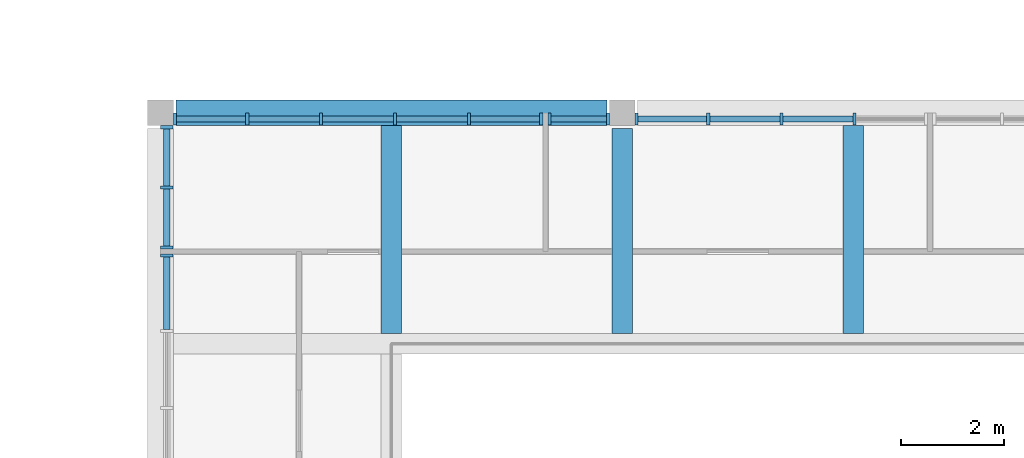
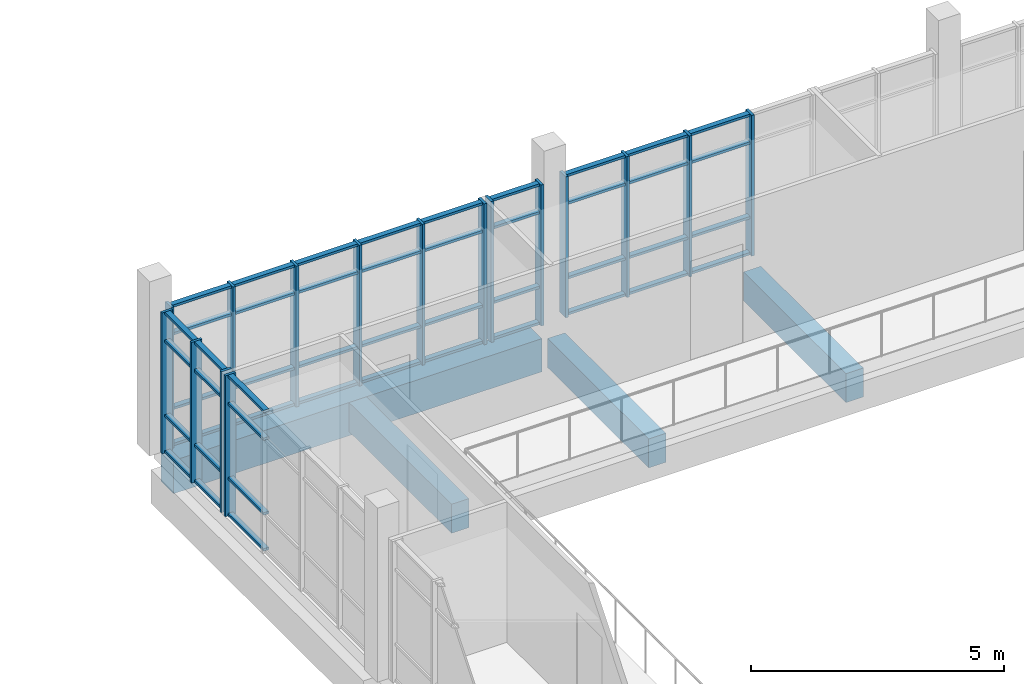
# One storey, part 9 of 74: 64 members, 4 beams, 5 elements without a shape of their own.
"""IFC4 building model written with IfcOpenShell, lengths in metres."""

from ifc_helpers import new_model, si_unit, direction, frame, origin, origin_2d, place, context, subcontext, project, spatial, rectangle, extrude, material, material_profile, profile_set, type_object, element, aggregate, save


model = new_model("IFC4")

# Units and contexts
model_context = context("Model", 3, precision=1e-05, world=origin(), true_north=direction((0.0, 1.0)))
body_context = subcontext(model_context, "Body", "Model", "MODEL_VIEW")
ifc_project = project(units=[si_unit("LENGTHUNIT", "METRE"), si_unit("AREAUNIT", "SQUARE_METRE"), si_unit("VOLUMEUNIT", "CUBIC_METRE"), si_unit("PLANEANGLEUNIT", "RADIAN"), si_unit("MASSUNIT", "GRAM", prefix="KILO")], contexts=[model_context])

# Site, building, storey
site_placement = place(None, origin())
site = spatial("IfcSite", under=ifc_project, at=site_placement, CompositionType="ELEMENT")
building_placement = place(site_placement, origin())
building = spatial("IfcBuilding", under=site, at=building_placement, Name="Merrow Basin Faculty of Sciences", CompositionType="ELEMENT")
storey_placement = place(building_placement, frame((0.0, 0.0, 13.5)))
storey = spatial("IfcBuildingStorey", under=building, at=storey_placement, Name="L03", CompositionType="ELEMENT", Elevation=13.5)

# Curtain wall, member
ifc_material_1 = material(Name="Aluminium alloy 6063", Category="aluminium")
curtain_wall_type = type_object("IfcCurtainWallType", Name="Atrium unitised curtain wall 240", PredefinedType="NOTDEFINED", material=ifc_material_1)
curtain_wall_1_placement = place(storey_placement, origin())
curtain_wall_1 = element("IfcCurtainWall", 1, at=curtain_wall_1_placement, inside=storey, type_object=curtain_wall_type, Name="W curtain wall L03 4", PredefinedType="NOTDEFINED")
ifc_material_2 = material(Name="Aluminium alloy 6063", Category="aluminium")
ifc_material_profile_1 = material_profile(ifc_material_2, rectangle(XDim=0.239990234375, YDim=0.06005859375, at=origin_2d()))
ifc_profile_set_1 = profile_set([ifc_material_profile_1], Name="Aluminium alloy 6063")
member_type_1 = type_object("IfcMemberType", Name="Aluminium mullion 60x240", PredefinedType="MULLION", material=ifc_profile_set_1)
member_1_placement = place(storey_placement, frame((45.1201171875, 33.219970703125, 0.0), z_axis=(0.0, 0.0, 1.0), x_axis=(-1.0, 0.0, 0.0)))
member_1 = element("IfcMember", 2, at=member_1_placement, type_object=member_type_1, Name="CW5 mullion 5", PredefinedType="MULLION", context=body_context, shape_type="SweptSolid", body=[
    extrude(rectangle(XDim=0.239990234375, YDim=0.06005859375, at=origin_2d()), origin(), (0.0, 0.0, 1.0), 3.39990234375),
])

# Curtain wall, members
curtain_wall_2_placement = place(storey_placement, origin())
curtain_wall_2 = element("IfcCurtainWall", 3, at=curtain_wall_2_placement, inside=storey, type_object=curtain_wall_type, Name="W curtain wall L03 5", PredefinedType="NOTDEFINED")
member_2_placement = place(storey_placement, frame((45.1201171875, 33.3798828125, 0.0), z_axis=(0.0, 0.0, 1.0), x_axis=(-1.0, 0.0, 0.0)))
member_2 = element("IfcMember", 4, at=member_2_placement, type_object=member_type_1, Name="CW5 mullion 1", PredefinedType="MULLION", context=body_context, shape_type="SweptSolid", body=[
    extrude(rectangle(XDim=0.239990234375, YDim=0.06005859375, at=origin_2d()), origin(), (0.0, 0.0, 1.0), 3.39990234375),
])
member_3_placement = place(storey_placement, frame((45.1201171875, 34.550048828125, 0.0), z_axis=(0.0, 0.0, 1.0), x_axis=(-1.0, 0.0, 0.0)))
member_3 = element("IfcMember", 5, at=member_3_placement, type_object=member_type_1, Name="CW5 mullion 2", PredefinedType="MULLION", context=body_context, shape_type="SweptSolid", body=[
    extrude(rectangle(XDim=0.239990234375, YDim=0.06005859375, at=origin_2d()), origin(), (0.0, 0.0, 1.0), 3.39990234375),
])
member_4_placement = place(storey_placement, frame((45.1201171875, 35.719970703125, 0.0), z_axis=(0.0, 0.0, 1.0), x_axis=(-1.0, 0.0, 0.0)))
member_4 = element("IfcMember", 6, at=member_4_placement, type_object=member_type_1, Name="CW5 mullion 3", PredefinedType="MULLION", context=body_context, shape_type="SweptSolid", body=[
    extrude(rectangle(XDim=0.239990234375, YDim=0.06005859375, at=origin_2d()), origin(), (0.0, 0.0, 1.0), 3.39990234375),
])

curtain_wall_3_placement = place(storey_placement, origin())
curtain_wall_3 = element("IfcCurtainWall", 7, at=curtain_wall_3_placement, inside=storey, type_object=curtain_wall_type, Name="N curtain wall L03 1", PredefinedType="NOTDEFINED")
member_5_placement = place(storey_placement, frame((45.280029296875, 35.8798828125, 0.0), z_axis=(0.0, 0.0, 1.0), x_axis=(0.0, 1.0, 0.0)))
member_5 = element("IfcMember", 8, at=member_5_placement, type_object=member_type_1, Name="CW5 mullion 1", PredefinedType="MULLION", context=body_context, shape_type="SweptSolid", body=[
    extrude(rectangle(XDim=0.239990234375, YDim=0.06005859375, at=origin_2d()), origin(), (0.0, 0.0, 1.0), 3.39990234375),
])
member_6_placement = place(storey_placement, frame((46.68994140625, 35.8798828125, 0.0), z_axis=(0.0, 0.0, 1.0), x_axis=(0.0, 1.0, 0.0)))
member_6 = element("IfcMember", 9, at=member_6_placement, type_object=member_type_1, Name="CW5 mullion 2", PredefinedType="MULLION", context=body_context, shape_type="SweptSolid", body=[
    extrude(rectangle(XDim=0.239990234375, YDim=0.06005859375, at=origin_2d()), origin(), (0.0, 0.0, 1.0), 3.39990234375),
])
member_7_placement = place(storey_placement, frame((48.1298828125, 35.8798828125, 0.0), z_axis=(0.0, 0.0, 1.0), x_axis=(0.0, 1.0, 0.0)))
member_7 = element("IfcMember", 10, at=member_7_placement, type_object=member_type_1, Name="CW5 mullion 3", PredefinedType="MULLION", context=body_context, shape_type="SweptSolid", body=[
    extrude(rectangle(XDim=0.239990234375, YDim=0.06005859375, at=origin_2d()), origin(), (0.0, 0.0, 1.0), 3.39990234375),
])
member_8_placement = place(storey_placement, frame((49.570068359375, 35.8798828125, 0.0), z_axis=(0.0, 0.0, 1.0), x_axis=(0.0, 1.0, 0.0)))
member_8 = element("IfcMember", 11, at=member_8_placement, type_object=member_type_1, Name="CW5 mullion 4", PredefinedType="MULLION", context=body_context, shape_type="SweptSolid", body=[
    extrude(rectangle(XDim=0.239990234375, YDim=0.06005859375, at=origin_2d()), origin(), (0.0, 0.0, 1.0), 3.39990234375),
])
member_9_placement = place(storey_placement, frame((51.010009765625, 35.8798828125, 0.0), z_axis=(0.0, 0.0, 1.0), x_axis=(0.0, 1.0, 0.0)))
member_9 = element("IfcMember", 12, at=member_9_placement, type_object=member_type_1, Name="CW5 mullion 5", PredefinedType="MULLION", context=body_context, shape_type="SweptSolid", body=[
    extrude(rectangle(XDim=0.239990234375, YDim=0.06005859375, at=origin_2d()), origin(), (0.0, 0.0, 1.0), 3.39990234375),
])
member_10_placement = place(storey_placement, frame((52.419921875, 35.8798828125, 0.0), z_axis=(0.0, 0.0, 1.0), x_axis=(0.0, 1.0, 0.0)))
member_10 = element("IfcMember", 13, at=member_10_placement, type_object=member_type_1, Name="CW5 mullion 6", PredefinedType="MULLION", context=body_context, shape_type="SweptSolid", body=[
    extrude(rectangle(XDim=0.239990234375, YDim=0.06005859375, at=origin_2d()), origin(), (0.0, 0.0, 1.0), 3.39990234375),
])

curtain_wall_4_placement = place(storey_placement, origin())
curtain_wall_4 = element("IfcCurtainWall", 14, at=curtain_wall_4_placement, inside=storey, type_object=curtain_wall_type, Name="N curtain wall L03 2", PredefinedType="NOTDEFINED")
member_11_placement = place(storey_placement, frame((52.580078125, 35.8798828125, 0.0), z_axis=(0.0, 0.0, 1.0), x_axis=(0.0, 1.0, 0.0)))
member_11 = element("IfcMember", 15, at=member_11_placement, type_object=member_type_1, Name="CW5 mullion 1", PredefinedType="MULLION", context=body_context, shape_type="SweptSolid", body=[
    extrude(rectangle(XDim=0.239990234375, YDim=0.06005859375, at=origin_2d()), origin(), (0.0, 0.0, 1.0), 3.39990234375),
])
member_12_placement = place(storey_placement, frame((53.719970703125, 35.8798828125, 0.0), z_axis=(0.0, 0.0, 1.0), x_axis=(0.0, 1.0, 0.0)))
member_12 = element("IfcMember", 16, at=member_12_placement, type_object=member_type_1, Name="CW5 mullion 2", PredefinedType="MULLION", context=body_context, shape_type="SweptSolid", body=[
    extrude(rectangle(XDim=0.239990234375, YDim=0.06005859375, at=origin_2d()), origin(), (0.0, 0.0, 1.0), 3.39990234375),
])

curtain_wall_5_placement = place(storey_placement, origin())
curtain_wall_5 = element("IfcCurtainWall", 17, at=curtain_wall_5_placement, inside=storey, type_object=curtain_wall_type, Name="N curtain wall L03 3", PredefinedType="NOTDEFINED")
member_13_placement = place(storey_placement, frame((54.280029296875, 35.8798828125, 0.0), z_axis=(0.0, 0.0, 1.0), x_axis=(0.0, 1.0, 0.0)))
member_13 = element("IfcMember", 18, at=member_13_placement, type_object=member_type_1, Name="CW5 mullion 1", PredefinedType="MULLION", context=body_context, shape_type="SweptSolid", body=[
    extrude(rectangle(XDim=0.239990234375, YDim=0.06005859375, at=origin_2d()), origin(), (0.0, 0.0, 1.0), 3.39990234375),
])
member_14_placement = place(storey_placement, frame((55.675048828125, 35.8798828125, 0.0), z_axis=(0.0, 0.0, 1.0), x_axis=(0.0, 1.0, 0.0)))
member_14 = element("IfcMember", 19, at=member_14_placement, type_object=member_type_1, Name="CW5 mullion 2", PredefinedType="MULLION", context=body_context, shape_type="SweptSolid", body=[
    extrude(rectangle(XDim=0.239990234375, YDim=0.06005859375, at=origin_2d()), origin(), (0.0, 0.0, 1.0), 3.39990234375),
])
member_15_placement = place(storey_placement, frame((57.10009765625, 35.8798828125, 0.0), z_axis=(0.0, 0.0, 1.0), x_axis=(0.0, 1.0, 0.0)))
member_15 = element("IfcMember", 20, at=member_15_placement, type_object=member_type_1, Name="CW5 mullion 3", PredefinedType="MULLION", context=body_context, shape_type="SweptSolid", body=[
    extrude(rectangle(XDim=0.239990234375, YDim=0.06005859375, at=origin_2d()), origin(), (0.0, 0.0, 1.0), 3.39990234375),
])
member_16_placement = place(storey_placement, frame((58.52490234375, 35.8798828125, 0.0), z_axis=(0.0, 0.0, 1.0), x_axis=(0.0, 1.0, 0.0)))
member_16 = element("IfcMember", 21, at=member_16_placement, type_object=member_type_1, Name="CW5 mullion 4", PredefinedType="MULLION", context=body_context, shape_type="SweptSolid", body=[
    extrude(rectangle(XDim=0.239990234375, YDim=0.06005859375, at=origin_2d()), origin(), (0.0, 0.0, 1.0), 3.39990234375),
])

# Member
ifc_material_3 = material(Name="Aluminium alloy 6063", Category="aluminium")
ifc_material_profile_2 = material_profile(ifc_material_3, rectangle(XDim=0.1201171875, YDim=0.06005859375, at=origin_2d()))
ifc_profile_set_2 = profile_set([ifc_material_profile_2], Name="Aluminium alloy 6063")
member_type_2 = type_object("IfcMemberType", Name="Aluminium transom 60x120", PredefinedType="USERDEFINED", material=ifc_profile_set_2)
member_17_placement = place(storey_placement, frame((45.1201171875, 31.780029296875, 0.030029296875), z_axis=(0.0, 1.0, 0.0), x_axis=(-1.0, 0.0, 0.0)))
member_17 = element("IfcMember", 22, at=member_17_placement, type_object=member_type_2, Name="CW5 transom 4.1", ObjectType="TRANSOM", PredefinedType="USERDEFINED", context=body_context, shape_type="SweptSolid", body=[
    extrude(rectangle(XDim=0.1201171875, YDim=0.06005859375, at=origin_2d()), origin(), (0.0, 0.0, 1.0), 1.409912109375),
])

member_18_placement = place(storey_placement, frame((45.1201171875, 31.780029296875, 0.89990234375), z_axis=(0.0, 1.0, 0.0), x_axis=(-1.0, 0.0, 0.0)))
member_18 = element("IfcMember", 23, at=member_18_placement, type_object=member_type_2, Name="CW5 transom 4.2", ObjectType="TRANSOM", PredefinedType="USERDEFINED", context=body_context, shape_type="SweptSolid", body=[
    extrude(rectangle(XDim=0.1201171875, YDim=0.06005859375, at=origin_2d()), origin(), (0.0, 0.0, 1.0), 1.409912109375),
])

member_19_placement = place(storey_placement, frame((45.1201171875, 31.780029296875, 2.699951171875), z_axis=(0.0, 1.0, 0.0), x_axis=(-1.0, 0.0, 0.0)))
member_19 = element("IfcMember", 24, at=member_19_placement, type_object=member_type_2, Name="CW5 transom 4.3", ObjectType="TRANSOM", PredefinedType="USERDEFINED", context=body_context, shape_type="SweptSolid", body=[
    extrude(rectangle(XDim=0.1201171875, YDim=0.06005859375, at=origin_2d()), origin(), (0.0, 0.0, 1.0), 1.409912109375),
])

member_20_placement = place(storey_placement, frame((45.1201171875, 31.780029296875, 3.3701171875), z_axis=(0.0, 1.0, 0.0), x_axis=(-1.0, 0.0, 0.0)))
member_20 = element("IfcMember", 25, at=member_20_placement, type_object=member_type_2, Name="CW5 transom 4.4", ObjectType="TRANSOM", PredefinedType="USERDEFINED", context=body_context, shape_type="SweptSolid", body=[
    extrude(rectangle(XDim=0.1201171875, YDim=0.06005859375, at=origin_2d()), origin(), (0.0, 0.0, 1.0), 1.409912109375),
])

aggregate(curtain_wall_1, [member_1, member_17, member_18, member_19, member_20])

member_21_placement = place(storey_placement, frame((45.1201171875, 33.409912109375, 0.030029296875), z_axis=(0.0, 1.0, 0.0), x_axis=(-1.0, 0.0, 0.0)))
member_21 = element("IfcMember", 26, at=member_21_placement, type_object=member_type_2, Name="CW5 transom 1.1", ObjectType="TRANSOM", PredefinedType="USERDEFINED", context=body_context, shape_type="SweptSolid", body=[
    extrude(rectangle(XDim=0.1201171875, YDim=0.06005859375, at=origin_2d()), origin(), (0.0, 0.0, 1.0), 1.110107421875),
])

member_22_placement = place(storey_placement, frame((45.1201171875, 33.409912109375, 0.89990234375), z_axis=(0.0, 1.0, 0.0), x_axis=(-1.0, 0.0, 0.0)))
member_22 = element("IfcMember", 27, at=member_22_placement, type_object=member_type_2, Name="CW5 transom 1.2", ObjectType="TRANSOM", PredefinedType="USERDEFINED", context=body_context, shape_type="SweptSolid", body=[
    extrude(rectangle(XDim=0.1201171875, YDim=0.06005859375, at=origin_2d()), origin(), (0.0, 0.0, 1.0), 1.110107421875),
])

member_23_placement = place(storey_placement, frame((45.1201171875, 33.409912109375, 2.699951171875), z_axis=(0.0, 1.0, 0.0), x_axis=(-1.0, 0.0, 0.0)))
member_23 = element("IfcMember", 28, at=member_23_placement, type_object=member_type_2, Name="CW5 transom 1.3", ObjectType="TRANSOM", PredefinedType="USERDEFINED", context=body_context, shape_type="SweptSolid", body=[
    extrude(rectangle(XDim=0.1201171875, YDim=0.06005859375, at=origin_2d()), origin(), (0.0, 0.0, 1.0), 1.110107421875),
])

member_24_placement = place(storey_placement, frame((45.1201171875, 33.409912109375, 3.3701171875), z_axis=(0.0, 1.0, 0.0), x_axis=(-1.0, 0.0, 0.0)))
member_24 = element("IfcMember", 29, at=member_24_placement, type_object=member_type_2, Name="CW5 transom 1.4", ObjectType="TRANSOM", PredefinedType="USERDEFINED", context=body_context, shape_type="SweptSolid", body=[
    extrude(rectangle(XDim=0.1201171875, YDim=0.06005859375, at=origin_2d()), origin(), (0.0, 0.0, 1.0), 1.110107421875),
])

member_25_placement = place(storey_placement, frame((45.1201171875, 34.580078125, 0.030029296875), z_axis=(0.0, 1.0, 0.0), x_axis=(-1.0, 0.0, 0.0)))
member_25 = element("IfcMember", 30, at=member_25_placement, type_object=member_type_2, Name="CW5 transom 2.1", ObjectType="TRANSOM", PredefinedType="USERDEFINED", context=body_context, shape_type="SweptSolid", body=[
    extrude(rectangle(XDim=0.1201171875, YDim=0.06005859375, at=origin_2d()), origin(), (0.0, 0.0, 1.0), 1.10986328125),
])

member_26_placement = place(storey_placement, frame((45.1201171875, 34.580078125, 0.89990234375), z_axis=(0.0, 1.0, 0.0), x_axis=(-1.0, 0.0, 0.0)))
member_26 = element("IfcMember", 31, at=member_26_placement, type_object=member_type_2, Name="CW5 transom 2.2", ObjectType="TRANSOM", PredefinedType="USERDEFINED", context=body_context, shape_type="SweptSolid", body=[
    extrude(rectangle(XDim=0.1201171875, YDim=0.06005859375, at=origin_2d()), origin(), (0.0, 0.0, 1.0), 1.10986328125),
])

member_27_placement = place(storey_placement, frame((45.1201171875, 34.580078125, 2.699951171875), z_axis=(0.0, 1.0, 0.0), x_axis=(-1.0, 0.0, 0.0)))
member_27 = element("IfcMember", 32, at=member_27_placement, type_object=member_type_2, Name="CW5 transom 2.3", ObjectType="TRANSOM", PredefinedType="USERDEFINED", context=body_context, shape_type="SweptSolid", body=[
    extrude(rectangle(XDim=0.1201171875, YDim=0.06005859375, at=origin_2d()), origin(), (0.0, 0.0, 1.0), 1.10986328125),
])

member_28_placement = place(storey_placement, frame((45.1201171875, 34.580078125, 3.3701171875), z_axis=(0.0, 1.0, 0.0), x_axis=(-1.0, 0.0, 0.0)))
member_28 = element("IfcMember", 33, at=member_28_placement, type_object=member_type_2, Name="CW5 transom 2.4", ObjectType="TRANSOM", PredefinedType="USERDEFINED", context=body_context, shape_type="SweptSolid", body=[
    extrude(rectangle(XDim=0.1201171875, YDim=0.06005859375, at=origin_2d()), origin(), (0.0, 0.0, 1.0), 1.10986328125),
])

aggregate(curtain_wall_2, [member_2, member_3, member_4, member_21, member_22, member_23, member_24, member_25, member_26, member_27, member_28])

member_29_placement = place(storey_placement, frame((45.31005859375, 35.8798828125, 0.030029296875), z_axis=(1.0, 0.0, 0.0), x_axis=(0.0, 1.0, 0.0)))
member_29 = element("IfcMember", 34, at=member_29_placement, type_object=member_type_2, Name="CW5 transom 1.1", ObjectType="TRANSOM", PredefinedType="USERDEFINED", context=body_context, shape_type="SweptSolid", body=[
    extrude(rectangle(XDim=0.1201171875, YDim=0.06005859375, at=origin_2d()), origin(), (0.0, 0.0, 1.0), 1.349853515625),
])

member_30_placement = place(storey_placement, frame((45.31005859375, 35.8798828125, 0.89990234375), z_axis=(1.0, 0.0, 0.0), x_axis=(0.0, 1.0, 0.0)))
member_30 = element("IfcMember", 35, at=member_30_placement, type_object=member_type_2, Name="CW5 transom 1.2", ObjectType="TRANSOM", PredefinedType="USERDEFINED", context=body_context, shape_type="SweptSolid", body=[
    extrude(rectangle(XDim=0.1201171875, YDim=0.06005859375, at=origin_2d()), origin(), (0.0, 0.0, 1.0), 1.349853515625),
])

member_31_placement = place(storey_placement, frame((45.31005859375, 35.8798828125, 2.699951171875), z_axis=(1.0, 0.0, 0.0), x_axis=(0.0, 1.0, 0.0)))
member_31 = element("IfcMember", 36, at=member_31_placement, type_object=member_type_2, Name="CW5 transom 1.3", ObjectType="TRANSOM", PredefinedType="USERDEFINED", context=body_context, shape_type="SweptSolid", body=[
    extrude(rectangle(XDim=0.1201171875, YDim=0.06005859375, at=origin_2d()), origin(), (0.0, 0.0, 1.0), 1.349853515625),
])

member_32_placement = place(storey_placement, frame((45.31005859375, 35.8798828125, 3.3701171875), z_axis=(1.0, 0.0, 0.0), x_axis=(0.0, 1.0, 0.0)))
member_32 = element("IfcMember", 37, at=member_32_placement, type_object=member_type_2, Name="CW5 transom 1.4", ObjectType="TRANSOM", PredefinedType="USERDEFINED", context=body_context, shape_type="SweptSolid", body=[
    extrude(rectangle(XDim=0.1201171875, YDim=0.06005859375, at=origin_2d()), origin(), (0.0, 0.0, 1.0), 1.349853515625),
])

member_33_placement = place(storey_placement, frame((46.719970703125, 35.8798828125, 0.030029296875), z_axis=(1.0, 0.0, 0.0), x_axis=(0.0, 1.0, 0.0)))
member_33 = element("IfcMember", 38, at=member_33_placement, type_object=member_type_2, Name="CW5 transom 2.1", ObjectType="TRANSOM", PredefinedType="USERDEFINED", context=body_context, shape_type="SweptSolid", body=[
    extrude(rectangle(XDim=0.1201171875, YDim=0.06005859375, at=origin_2d()), origin(), (0.0, 0.0, 1.0), 1.380126953125),
])

member_34_placement = place(storey_placement, frame((46.719970703125, 35.8798828125, 0.89990234375), z_axis=(1.0, 0.0, 0.0), x_axis=(0.0, 1.0, 0.0)))
member_34 = element("IfcMember", 39, at=member_34_placement, type_object=member_type_2, Name="CW5 transom 2.2", ObjectType="TRANSOM", PredefinedType="USERDEFINED", context=body_context, shape_type="SweptSolid", body=[
    extrude(rectangle(XDim=0.1201171875, YDim=0.06005859375, at=origin_2d()), origin(), (0.0, 0.0, 1.0), 1.380126953125),
])

member_35_placement = place(storey_placement, frame((46.719970703125, 35.8798828125, 2.699951171875), z_axis=(1.0, 0.0, 0.0), x_axis=(0.0, 1.0, 0.0)))
member_35 = element("IfcMember", 40, at=member_35_placement, type_object=member_type_2, Name="CW5 transom 2.3", ObjectType="TRANSOM", PredefinedType="USERDEFINED", context=body_context, shape_type="SweptSolid", body=[
    extrude(rectangle(XDim=0.1201171875, YDim=0.06005859375, at=origin_2d()), origin(), (0.0, 0.0, 1.0), 1.380126953125),
])

member_36_placement = place(storey_placement, frame((46.719970703125, 35.8798828125, 3.3701171875), z_axis=(1.0, 0.0, 0.0), x_axis=(0.0, 1.0, 0.0)))
member_36 = element("IfcMember", 41, at=member_36_placement, type_object=member_type_2, Name="CW5 transom 2.4", ObjectType="TRANSOM", PredefinedType="USERDEFINED", context=body_context, shape_type="SweptSolid", body=[
    extrude(rectangle(XDim=0.1201171875, YDim=0.06005859375, at=origin_2d()), origin(), (0.0, 0.0, 1.0), 1.380126953125),
])

member_37_placement = place(storey_placement, frame((48.159912109375, 35.8798828125, 0.030029296875), z_axis=(1.0, 0.0, 0.0), x_axis=(0.0, 1.0, 0.0)))
member_37 = element("IfcMember", 42, at=member_37_placement, type_object=member_type_2, Name="CW5 transom 3.1", ObjectType="TRANSOM", PredefinedType="USERDEFINED", context=body_context, shape_type="SweptSolid", body=[
    extrude(rectangle(XDim=0.1201171875, YDim=0.06005859375, at=origin_2d()), origin(), (0.0, 0.0, 1.0), 1.380126953125),
])

member_38_placement = place(storey_placement, frame((48.159912109375, 35.8798828125, 0.89990234375), z_axis=(1.0, 0.0, 0.0), x_axis=(0.0, 1.0, 0.0)))
member_38 = element("IfcMember", 43, at=member_38_placement, type_object=member_type_2, Name="CW5 transom 3.2", ObjectType="TRANSOM", PredefinedType="USERDEFINED", context=body_context, shape_type="SweptSolid", body=[
    extrude(rectangle(XDim=0.1201171875, YDim=0.06005859375, at=origin_2d()), origin(), (0.0, 0.0, 1.0), 1.380126953125),
])

member_39_placement = place(storey_placement, frame((48.159912109375, 35.8798828125, 2.699951171875), z_axis=(1.0, 0.0, 0.0), x_axis=(0.0, 1.0, 0.0)))
member_39 = element("IfcMember", 44, at=member_39_placement, type_object=member_type_2, Name="CW5 transom 3.3", ObjectType="TRANSOM", PredefinedType="USERDEFINED", context=body_context, shape_type="SweptSolid", body=[
    extrude(rectangle(XDim=0.1201171875, YDim=0.06005859375, at=origin_2d()), origin(), (0.0, 0.0, 1.0), 1.380126953125),
])

member_40_placement = place(storey_placement, frame((48.159912109375, 35.8798828125, 3.3701171875), z_axis=(1.0, 0.0, 0.0), x_axis=(0.0, 1.0, 0.0)))
member_40 = element("IfcMember", 45, at=member_40_placement, type_object=member_type_2, Name="CW5 transom 3.4", ObjectType="TRANSOM", PredefinedType="USERDEFINED", context=body_context, shape_type="SweptSolid", body=[
    extrude(rectangle(XDim=0.1201171875, YDim=0.06005859375, at=origin_2d()), origin(), (0.0, 0.0, 1.0), 1.380126953125),
])

member_41_placement = place(storey_placement, frame((49.60009765625, 35.8798828125, 0.030029296875), z_axis=(1.0, 0.0, 0.0), x_axis=(0.0, 1.0, 0.0)))
member_41 = element("IfcMember", 46, at=member_41_placement, type_object=member_type_2, Name="CW5 transom 4.1", ObjectType="TRANSOM", PredefinedType="USERDEFINED", context=body_context, shape_type="SweptSolid", body=[
    extrude(rectangle(XDim=0.1201171875, YDim=0.06005859375, at=origin_2d()), origin(), (0.0, 0.0, 1.0), 1.3798828125),
])

member_42_placement = place(storey_placement, frame((49.60009765625, 35.8798828125, 0.89990234375), z_axis=(1.0, 0.0, 0.0), x_axis=(0.0, 1.0, 0.0)))
member_42 = element("IfcMember", 47, at=member_42_placement, type_object=member_type_2, Name="CW5 transom 4.2", ObjectType="TRANSOM", PredefinedType="USERDEFINED", context=body_context, shape_type="SweptSolid", body=[
    extrude(rectangle(XDim=0.1201171875, YDim=0.06005859375, at=origin_2d()), origin(), (0.0, 0.0, 1.0), 1.3798828125),
])

member_43_placement = place(storey_placement, frame((49.60009765625, 35.8798828125, 2.699951171875), z_axis=(1.0, 0.0, 0.0), x_axis=(0.0, 1.0, 0.0)))
member_43 = element("IfcMember", 48, at=member_43_placement, type_object=member_type_2, Name="CW5 transom 4.3", ObjectType="TRANSOM", PredefinedType="USERDEFINED", context=body_context, shape_type="SweptSolid", body=[
    extrude(rectangle(XDim=0.1201171875, YDim=0.06005859375, at=origin_2d()), origin(), (0.0, 0.0, 1.0), 1.3798828125),
])

member_44_placement = place(storey_placement, frame((49.60009765625, 35.8798828125, 3.3701171875), z_axis=(1.0, 0.0, 0.0), x_axis=(0.0, 1.0, 0.0)))
member_44 = element("IfcMember", 49, at=member_44_placement, type_object=member_type_2, Name="CW5 transom 4.4", ObjectType="TRANSOM", PredefinedType="USERDEFINED", context=body_context, shape_type="SweptSolid", body=[
    extrude(rectangle(XDim=0.1201171875, YDim=0.06005859375, at=origin_2d()), origin(), (0.0, 0.0, 1.0), 1.3798828125),
])

member_45_placement = place(storey_placement, frame((51.0400390625, 35.8798828125, 0.030029296875), z_axis=(1.0, 0.0, 0.0), x_axis=(0.0, 1.0, 0.0)))
member_45 = element("IfcMember", 50, at=member_45_placement, type_object=member_type_2, Name="CW5 transom 5.1", ObjectType="TRANSOM", PredefinedType="USERDEFINED", context=body_context, shape_type="SweptSolid", body=[
    extrude(rectangle(XDim=0.1201171875, YDim=0.06005859375, at=origin_2d()), origin(), (0.0, 0.0, 1.0), 1.349853515625),
])

member_46_placement = place(storey_placement, frame((51.0400390625, 35.8798828125, 0.89990234375), z_axis=(1.0, 0.0, 0.0), x_axis=(0.0, 1.0, 0.0)))
member_46 = element("IfcMember", 51, at=member_46_placement, type_object=member_type_2, Name="CW5 transom 5.2", ObjectType="TRANSOM", PredefinedType="USERDEFINED", context=body_context, shape_type="SweptSolid", body=[
    extrude(rectangle(XDim=0.1201171875, YDim=0.06005859375, at=origin_2d()), origin(), (0.0, 0.0, 1.0), 1.349853515625),
])

member_47_placement = place(storey_placement, frame((51.0400390625, 35.8798828125, 2.699951171875), z_axis=(1.0, 0.0, 0.0), x_axis=(0.0, 1.0, 0.0)))
member_47 = element("IfcMember", 52, at=member_47_placement, type_object=member_type_2, Name="CW5 transom 5.3", ObjectType="TRANSOM", PredefinedType="USERDEFINED", context=body_context, shape_type="SweptSolid", body=[
    extrude(rectangle(XDim=0.1201171875, YDim=0.06005859375, at=origin_2d()), origin(), (0.0, 0.0, 1.0), 1.349853515625),
])

member_48_placement = place(storey_placement, frame((51.0400390625, 35.8798828125, 3.3701171875), z_axis=(1.0, 0.0, 0.0), x_axis=(0.0, 1.0, 0.0)))
member_48 = element("IfcMember", 53, at=member_48_placement, type_object=member_type_2, Name="CW5 transom 5.4", ObjectType="TRANSOM", PredefinedType="USERDEFINED", context=body_context, shape_type="SweptSolid", body=[
    extrude(rectangle(XDim=0.1201171875, YDim=0.06005859375, at=origin_2d()), origin(), (0.0, 0.0, 1.0), 1.349853515625),
])

aggregate(curtain_wall_3, [member_5, member_6, member_7, member_8, member_9, member_10, member_29, member_30, member_31, member_32, member_33, member_34, member_35, member_36, member_37, member_38, member_39, member_40, member_41, member_42, member_43, member_44, member_45, member_46, member_47, member_48])

member_49_placement = place(storey_placement, frame((52.610107421875, 35.8798828125, 0.030029296875), z_axis=(1.0, 0.0, 0.0), x_axis=(0.0, 1.0, 0.0)))
member_49 = element("IfcMember", 54, at=member_49_placement, type_object=member_type_2, Name="CW5 transom 1.1", ObjectType="TRANSOM", PredefinedType="USERDEFINED", context=body_context, shape_type="SweptSolid", body=[
    extrude(rectangle(XDim=0.1201171875, YDim=0.06005859375, at=origin_2d()), origin(), (0.0, 0.0, 1.0), 1.079833984375),
])

member_50_placement = place(storey_placement, frame((52.610107421875, 35.8798828125, 0.89990234375), z_axis=(1.0, 0.0, 0.0), x_axis=(0.0, 1.0, 0.0)))
member_50 = element("IfcMember", 55, at=member_50_placement, type_object=member_type_2, Name="CW5 transom 1.2", ObjectType="TRANSOM", PredefinedType="USERDEFINED", context=body_context, shape_type="SweptSolid", body=[
    extrude(rectangle(XDim=0.1201171875, YDim=0.06005859375, at=origin_2d()), origin(), (0.0, 0.0, 1.0), 1.079833984375),
])

member_51_placement = place(storey_placement, frame((52.610107421875, 35.8798828125, 2.699951171875), z_axis=(1.0, 0.0, 0.0), x_axis=(0.0, 1.0, 0.0)))
member_51 = element("IfcMember", 56, at=member_51_placement, type_object=member_type_2, Name="CW5 transom 1.3", ObjectType="TRANSOM", PredefinedType="USERDEFINED", context=body_context, shape_type="SweptSolid", body=[
    extrude(rectangle(XDim=0.1201171875, YDim=0.06005859375, at=origin_2d()), origin(), (0.0, 0.0, 1.0), 1.079833984375),
])

member_52_placement = place(storey_placement, frame((52.610107421875, 35.8798828125, 3.3701171875), z_axis=(1.0, 0.0, 0.0), x_axis=(0.0, 1.0, 0.0)))
member_52 = element("IfcMember", 57, at=member_52_placement, type_object=member_type_2, Name="CW5 transom 1.4", ObjectType="TRANSOM", PredefinedType="USERDEFINED", context=body_context, shape_type="SweptSolid", body=[
    extrude(rectangle(XDim=0.1201171875, YDim=0.06005859375, at=origin_2d()), origin(), (0.0, 0.0, 1.0), 1.079833984375),
])

aggregate(curtain_wall_4, [member_11, member_12, member_49, member_50, member_51, member_52])

member_53_placement = place(storey_placement, frame((54.31005859375, 35.8798828125, 0.030029296875), z_axis=(1.0, 0.0, 0.0), x_axis=(0.0, 1.0, 0.0)))
member_53 = element("IfcMember", 58, at=member_53_placement, type_object=member_type_2, Name="CW5 transom 1.1", ObjectType="TRANSOM", PredefinedType="USERDEFINED", context=body_context, shape_type="SweptSolid", body=[
    extrude(rectangle(XDim=0.1201171875, YDim=0.06005859375, at=origin_2d()), origin(), (0.0, 0.0, 1.0), 1.3349609375),
])

member_54_placement = place(storey_placement, frame((54.31005859375, 35.8798828125, 0.89990234375), z_axis=(1.0, 0.0, 0.0), x_axis=(0.0, 1.0, 0.0)))
member_54 = element("IfcMember", 59, at=member_54_placement, type_object=member_type_2, Name="CW5 transom 1.2", ObjectType="TRANSOM", PredefinedType="USERDEFINED", context=body_context, shape_type="SweptSolid", body=[
    extrude(rectangle(XDim=0.1201171875, YDim=0.06005859375, at=origin_2d()), origin(), (0.0, 0.0, 1.0), 1.3349609375),
])

member_55_placement = place(storey_placement, frame((54.31005859375, 35.8798828125, 2.699951171875), z_axis=(1.0, 0.0, 0.0), x_axis=(0.0, 1.0, 0.0)))
member_55 = element("IfcMember", 60, at=member_55_placement, type_object=member_type_2, Name="CW5 transom 1.3", ObjectType="TRANSOM", PredefinedType="USERDEFINED", context=body_context, shape_type="SweptSolid", body=[
    extrude(rectangle(XDim=0.1201171875, YDim=0.06005859375, at=origin_2d()), origin(), (0.0, 0.0, 1.0), 1.3349609375),
])

member_56_placement = place(storey_placement, frame((54.31005859375, 35.8798828125, 3.3701171875), z_axis=(1.0, 0.0, 0.0), x_axis=(0.0, 1.0, 0.0)))
member_56 = element("IfcMember", 61, at=member_56_placement, type_object=member_type_2, Name="CW5 transom 1.4", ObjectType="TRANSOM", PredefinedType="USERDEFINED", context=body_context, shape_type="SweptSolid", body=[
    extrude(rectangle(XDim=0.1201171875, YDim=0.06005859375, at=origin_2d()), origin(), (0.0, 0.0, 1.0), 1.3349609375),
])

member_57_placement = place(storey_placement, frame((55.705078125, 35.8798828125, 0.030029296875), z_axis=(1.0, 0.0, 0.0), x_axis=(0.0, 1.0, 0.0)))
member_57 = element("IfcMember", 62, at=member_57_placement, type_object=member_type_2, Name="CW5 transom 2.1", ObjectType="TRANSOM", PredefinedType="USERDEFINED", context=body_context, shape_type="SweptSolid", body=[
    extrude(rectangle(XDim=0.1201171875, YDim=0.06005859375, at=origin_2d()), origin(), (0.0, 0.0, 1.0), 1.364990234375),
])

member_58_placement = place(storey_placement, frame((55.705078125, 35.8798828125, 0.89990234375), z_axis=(1.0, 0.0, 0.0), x_axis=(0.0, 1.0, 0.0)))
member_58 = element("IfcMember", 63, at=member_58_placement, type_object=member_type_2, Name="CW5 transom 2.2", ObjectType="TRANSOM", PredefinedType="USERDEFINED", context=body_context, shape_type="SweptSolid", body=[
    extrude(rectangle(XDim=0.1201171875, YDim=0.06005859375, at=origin_2d()), origin(), (0.0, 0.0, 1.0), 1.364990234375),
])

member_59_placement = place(storey_placement, frame((55.705078125, 35.8798828125, 2.699951171875), z_axis=(1.0, 0.0, 0.0), x_axis=(0.0, 1.0, 0.0)))
member_59 = element("IfcMember", 64, at=member_59_placement, type_object=member_type_2, Name="CW5 transom 2.3", ObjectType="TRANSOM", PredefinedType="USERDEFINED", context=body_context, shape_type="SweptSolid", body=[
    extrude(rectangle(XDim=0.1201171875, YDim=0.06005859375, at=origin_2d()), origin(), (0.0, 0.0, 1.0), 1.364990234375),
])

member_60_placement = place(storey_placement, frame((55.705078125, 35.8798828125, 3.3701171875), z_axis=(1.0, 0.0, 0.0), x_axis=(0.0, 1.0, 0.0)))
member_60 = element("IfcMember", 65, at=member_60_placement, type_object=member_type_2, Name="CW5 transom 2.4", ObjectType="TRANSOM", PredefinedType="USERDEFINED", context=body_context, shape_type="SweptSolid", body=[
    extrude(rectangle(XDim=0.1201171875, YDim=0.06005859375, at=origin_2d()), origin(), (0.0, 0.0, 1.0), 1.364990234375),
])

member_61_placement = place(storey_placement, frame((57.1298828125, 35.8798828125, 0.030029296875), z_axis=(1.0, 0.0, 0.0), x_axis=(0.0, 1.0, 0.0)))
member_61 = element("IfcMember", 66, at=member_61_placement, type_object=member_type_2, Name="CW5 transom 3.1", ObjectType="TRANSOM", PredefinedType="USERDEFINED", context=body_context, shape_type="SweptSolid", body=[
    extrude(rectangle(XDim=0.1201171875, YDim=0.06005859375, at=origin_2d()), origin(), (0.0, 0.0, 1.0), 1.365234375),
])

member_62_placement = place(storey_placement, frame((57.1298828125, 35.8798828125, 0.89990234375), z_axis=(1.0, 0.0, 0.0), x_axis=(0.0, 1.0, 0.0)))
member_62 = element("IfcMember", 67, at=member_62_placement, type_object=member_type_2, Name="CW5 transom 3.2", ObjectType="TRANSOM", PredefinedType="USERDEFINED", context=body_context, shape_type="SweptSolid", body=[
    extrude(rectangle(XDim=0.1201171875, YDim=0.06005859375, at=origin_2d()), origin(), (0.0, 0.0, 1.0), 1.365234375),
])

member_63_placement = place(storey_placement, frame((57.1298828125, 35.8798828125, 2.699951171875), z_axis=(1.0, 0.0, 0.0), x_axis=(0.0, 1.0, 0.0)))
member_63 = element("IfcMember", 68, at=member_63_placement, type_object=member_type_2, Name="CW5 transom 3.3", ObjectType="TRANSOM", PredefinedType="USERDEFINED", context=body_context, shape_type="SweptSolid", body=[
    extrude(rectangle(XDim=0.1201171875, YDim=0.06005859375, at=origin_2d()), origin(), (0.0, 0.0, 1.0), 1.365234375),
])

member_64_placement = place(storey_placement, frame((57.1298828125, 35.8798828125, 3.3701171875), z_axis=(1.0, 0.0, 0.0), x_axis=(0.0, 1.0, 0.0)))
member_64 = element("IfcMember", 69, at=member_64_placement, type_object=member_type_2, Name="CW5 transom 3.4", ObjectType="TRANSOM", PredefinedType="USERDEFINED", context=body_context, shape_type="SweptSolid", body=[
    extrude(rectangle(XDim=0.1201171875, YDim=0.06005859375, at=origin_2d()), origin(), (0.0, 0.0, 1.0), 1.365234375),
])

aggregate(curtain_wall_5, [member_13, member_14, member_15, member_16, member_53, member_54, member_55, member_56, member_57, member_58, member_59, member_60, member_61, member_62, member_63, member_64])

# Beams
ifc_material_4 = material(Name="Concrete C40/50", Category="concrete")
ifc_material_profile_3 = material_profile(ifc_material_4, rectangle(XDim=0.5, YDim=0.800048828125, at=origin_2d()))
ifc_profile_set_3 = profile_set([ifc_material_profile_3], Name="Concrete C40/50")
beam_type_1 = type_object("IfcBeamType", Name="Beam RC500x800 C40/50", PredefinedType="BEAM", material=ifc_profile_set_3)
beam_1_placement = place(storey_placement, frame((45.300048828125, 36.0, -0.699951171875), z_axis=(1.0, 0.0, 0.0), x_axis=(0.0, 1.0, 0.0)))
element("IfcBeam", 70, at=beam_1_placement, inside=storey, type_object=beam_type_1, Name="B4 L03 004", PredefinedType="BEAM", context=body_context, shape_type="SweptSolid", body=[
    extrude(rectangle(XDim=0.5, YDim=0.800048828125, at=origin_2d()), origin(), (0.0, 0.0, 1.0), 8.39990234375),
])
ifc_material_5 = material(Name="Concrete C40/50", Category="concrete")
ifc_material_profile_4 = material_profile(ifc_material_5, rectangle(XDim=0.39990234375, YDim=0.699951171875, at=origin_2d()))
ifc_profile_set_4 = profile_set([ifc_material_profile_4], Name="Concrete C40/50")
beam_type_2 = type_object("IfcBeamType", Name="Gallery edge beam RC400x700 C40/50", PredefinedType="BEAM", material=ifc_profile_set_4)
beam_2_placement = place(storey_placement, frame((49.5, 31.699951171875, -0.64990234375), z_axis=(0.0, 1.0, 0.0), x_axis=(-1.0, 0.0, 0.0)))
element("IfcBeam", 71, at=beam_2_placement, inside=storey, type_object=beam_type_2, Name="GB1 L03 016", PredefinedType="BEAM", context=body_context, shape_type="SweptSolid", body=[
    extrude(rectangle(XDim=0.39990234375, YDim=0.699951171875, at=origin_2d()), origin(), (0.0, 0.0, 1.0), 4.050048828125),
])
beam_3_placement = place(storey_placement, frame((54.0, 31.699951171875, -0.64990234375), z_axis=(0.0, 1.0, 0.0), x_axis=(-1.0, 0.0, 0.0)))
element("IfcBeam", 72, at=beam_3_placement, inside=storey, type_object=beam_type_2, Name="GB1 L03 020", PredefinedType="BEAM", context=body_context, shape_type="SweptSolid", body=[
    extrude(rectangle(XDim=0.39990234375, YDim=0.699951171875, at=origin_2d()), origin(), (0.0, 0.0, 1.0), 4.0),
])
beam_4_placement = place(storey_placement, frame((58.5, 31.699951171875, -0.64990234375), z_axis=(0.0, 1.0, 0.0), x_axis=(-1.0, 0.0, 0.0)))
element("IfcBeam", 73, at=beam_4_placement, inside=storey, type_object=beam_type_2, Name="GB1 L03 022", PredefinedType="BEAM", context=body_context, shape_type="SweptSolid", body=[
    extrude(rectangle(XDim=0.39990234375, YDim=0.699951171875, at=origin_2d()), origin(), (0.0, 0.0, 1.0), 4.050048828125),
])

save(model, "model.ifc")
